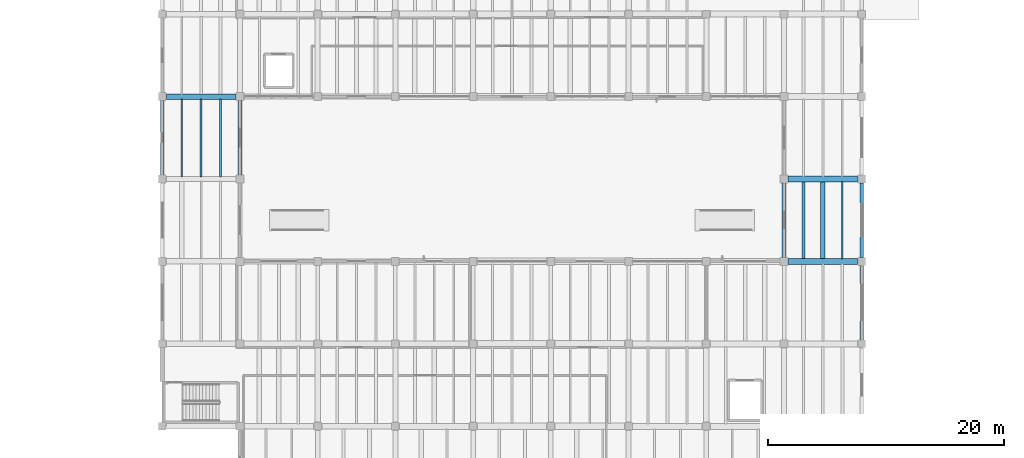
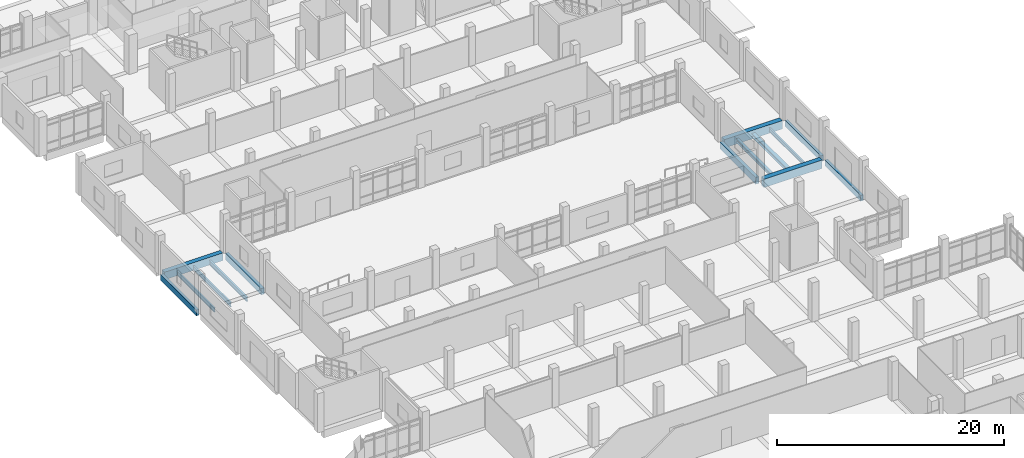
# One storey, part 20 of 69: 14 beams.
"""IFC4 building model written with IfcOpenShell, lengths in metres."""

from ifc_helpers import new_model, si_unit, direction, frame, origin, origin_2d, place, context, subcontext, project, spatial, rectangle, i_section, extrude, material, material_profile, profile_set, type_object, element, save


model = new_model("IFC4")

# Units and contexts
model_context = context("Model", 3, precision=1e-05, world=origin(), true_north=direction((0.0, 1.0)))
body_context = subcontext(model_context, "Body", "Model", "MODEL_VIEW")
ifc_project = project(units=[si_unit("LENGTHUNIT", "METRE"), si_unit("AREAUNIT", "SQUARE_METRE"), si_unit("VOLUMEUNIT", "CUBIC_METRE"), si_unit("PLANEANGLEUNIT", "RADIAN"), si_unit("MASSUNIT", "GRAM", prefix="KILO")], contexts=[model_context])

# Site, building, storey
site_placement = place(None, origin())
site = spatial("IfcSite", under=ifc_project, at=site_placement, CompositionType="ELEMENT")
building_placement = place(site_placement, origin())
building = spatial("IfcBuilding", under=site, at=building_placement, Name="Ciguamira Faculty of Natural Sciences", CompositionType="ELEMENT")
storey_placement = place(building_placement, origin())
storey = spatial("IfcBuildingStorey", under=building, at=storey_placement, Name="L00", CompositionType="ELEMENT", Elevation=0.0)

# Beams
ifc_material_1 = material(Name="Concrete C40/50", Category="concrete")
ifc_material_profile_1 = material_profile(ifc_material_1, rectangle(XDim=0.5, YDim=0.89990234375, at=origin_2d()), Name="RC-BM-500X900")
ifc_profile_set_1 = profile_set([ifc_material_profile_1], Name="Concrete C40/50")
beam_type_1 = type_object("IfcBeamType", Name="RCBeam_BG-03_RC-BM-500X900", PredefinedType="BEAM", material=ifc_profile_set_1)
for number, where, z_axis, x_axis, name in (
    (1, (110.449951171875, 59.0, -0.449951171875), (1.0, 0.0, 0.0), (0.0, 1.0, 0.0), "L00 RC girder EW-0126"),
    (2, (110.449951171875, 66.0, -0.449951171875), (1.0, 0.0, 0.0), (0.0, 1.0, 0.0), "L00 RC girder EW-0128"),
):
    element("IfcBeam", number, at=place(storey_placement, frame(where, z_axis=z_axis, x_axis=x_axis)), inside=storey, type_object=beam_type_1, Name=name, PredefinedType="BEAM", context=body_context, shape_type="SweptSolid", body=[
        extrude(rectangle(XDim=0.5, YDim=0.89990234375, at=origin_2d()), origin(), (0.0, 0.0, 1.0), 5.900146484375),
    ])
ifc_material_profile_2 = material_profile(ifc_material_1, rectangle(XDim=0.4599609375, YDim=0.820068359375, at=origin_2d()), Name="RC-BM-460X820")
ifc_profile_set_2 = profile_set([ifc_material_profile_2], Name="Concrete C40/50")
beam_type_2 = type_object("IfcBeamType", Name="RCBeam_BG-04_RC-BM-460X820", PredefinedType="BEAM", material=ifc_profile_set_2)
beam_1_placement = place(storey_placement, frame((57.64990234375, 73.0, -0.409912109375), z_axis=(1.0, 0.0, 0.0), x_axis=(0.0, 1.0, 0.0)))
element("IfcBeam", 3, at=beam_1_placement, inside=storey, type_object=beam_type_2, Name="L00 RC girder EW-0129", PredefinedType="BEAM", context=body_context, shape_type="SweptSolid", body=[
    extrude(rectangle(XDim=0.4599609375, YDim=0.820068359375, at=origin_2d()), origin(), (0.0, 0.0, 1.0), 5.900146484375),
])
ifc_material_2 = material(Name="Precast concrete C40/50", Category="concrete")
ifc_material_profile_3 = material_profile(ifc_material_2, rectangle(XDim=0.280029296875, YDim=0.6201171875, at=origin_2d()), Name="RC-SP-280X620")
ifc_profile_set_3 = profile_set([ifc_material_profile_3], Name="Precast concrete C40/50")
beam_type_3 = type_object("IfcBeamType", Name="RCBeam_SP-01_RC-SP-280X620", PredefinedType="SPANDREL", material=ifc_profile_set_3)
for number, where, z_axis, x_axis, name in (
    (4, (57.300048828125, 66.35009765625, -0.31005859375), (0.0, 1.0, 0.0), (-1.0, 0.0, 0.0), "L00 girder NS-0223"),
    (5, (116.699951171875, 52.35009765625, -0.31005859375), (0.0, 1.0, 0.0), (-1.0, 0.0, 0.0), "L00 girder NS-0330"),
    (6, (116.699951171875, 59.35009765625, -0.31005859375), (0.0, 1.0, 0.0), (-1.0, 0.0, 0.0), "L00 girder NS-0331"),
):
    element("IfcBeam", number, at=place(storey_placement, frame(where, z_axis=z_axis, x_axis=x_axis)), inside=storey, type_object=beam_type_3, Name=name, PredefinedType="SPANDREL", context=body_context, shape_type="SweptSolid", body=[
        extrude(rectangle(XDim=0.280029296875, YDim=0.6201171875, at=origin_2d()), origin(), (0.0, 0.0, 1.0), 6.2998046875),
    ])
ifc_material_profile_4 = material_profile(ifc_material_2, rectangle(XDim=0.320068359375, YDim=0.679931640625, at=origin_2d()), Name="RC-SP-320X680")
ifc_profile_set_4 = profile_set([ifc_material_profile_4], Name="Precast concrete C40/50")
beam_type_4 = type_object("IfcBeamType", Name="RCBeam_SP-02_RC-SP-320X680", PredefinedType="SPANDREL", material=ifc_profile_set_4)
beam_2_placement = place(storey_placement, frame((63.89990234375, 66.35009765625, -0.340087890625), z_axis=(0.0, 1.0, 0.0), x_axis=(-1.0, 0.0, 0.0)))
element("IfcBeam", 7, at=beam_2_placement, inside=storey, type_object=beam_type_4, Name="L00 girder NS-0235", PredefinedType="SPANDREL", context=body_context, shape_type="SweptSolid", body=[
    extrude(rectangle(XDim=0.320068359375, YDim=0.679931640625, at=origin_2d()), origin(), (0.0, 0.0, 1.0), 6.2998046875),
])
ifc_material_profile_5 = material_profile(ifc_material_2, rectangle(XDim=0.340087890625, YDim=0.719970703125, at=origin_2d()), Name="RC-SP-340X720")
ifc_profile_set_5 = profile_set([ifc_material_profile_5], Name="Precast concrete C40/50")
beam_type_5 = type_object("IfcBeamType", Name="RCBeam_SP-03_RC-SP-340X720", PredefinedType="SPANDREL", material=ifc_profile_set_5)
beam_3_placement = place(storey_placement, frame((110.10009765625, 59.35009765625, -0.360107421875), z_axis=(0.0, 1.0, 0.0), x_axis=(-1.0, 0.0, 0.0)))
element("IfcBeam", 8, at=beam_3_placement, inside=storey, type_object=beam_type_5, Name="L00 girder NS-0318", PredefinedType="SPANDREL", context=body_context, shape_type="SweptSolid", body=[
    extrude(rectangle(XDim=0.340087890625, YDim=0.719970703125, at=origin_2d()), origin(), (0.0, 0.0, 1.0), 6.2998046875),
])
ifc_material_3 = material(Name="Steel ASTM A992 Grade 50", Category="steel")
ifc_material_profile_6 = material_profile(ifc_material_3, i_section(OverallWidth=0.256591796875, OverallDepth=0.36328125, WebThickness=0.012939453125, FlangeThickness=0.021728515625, at=origin_2d()), Name="W14X82")
ifc_profile_set_6 = profile_set([ifc_material_profile_6], Name="Steel ASTM A992 Grade 50")
beam_type_6 = type_object("IfcBeamType", Name="SteelJoist_SJ-15_W14X82", PredefinedType="JOIST", material=ifc_profile_set_6)
beam_4_placement = place(storey_placement, frame((111.75, 59.2099609375, -0.481689453125), z_axis=(0.0, 1.0, 0.0), x_axis=(-1.0, 0.0, 0.0)))
element("IfcBeam", 9, at=beam_4_placement, inside=storey, type_object=beam_type_6, Name="L00 composite steel joist 00287", PredefinedType="JOIST", context=body_context, shape_type="SweptSolid", body=[
    extrude(i_section(OverallWidth=0.256591796875, OverallDepth=0.36328125, WebThickness=0.012939453125, FlangeThickness=0.021728515625, at=origin_2d()), origin(), (0.0, 0.0, 1.0), 6.580078125),
])
ifc_material_profile_7 = material_profile(ifc_material_3, i_section(OverallWidth=0.368408203125, OverallDepth=0.355712890625, WebThickness=0.01123046875, FlangeThickness=0.01806640625, at=origin_2d()), Name="W14X90")
ifc_profile_set_7 = profile_set([ifc_material_profile_7], Name="Steel ASTM A992 Grade 50")
beam_type_7 = type_object("IfcBeamType", Name="SteelJoist_SJ-16_W14X90", PredefinedType="JOIST", material=ifc_profile_set_7)
beam_5_placement = place(storey_placement, frame((113.39990234375, 59.2099609375, -0.477783203125), z_axis=(0.0, 1.0, 0.0), x_axis=(-1.0, 0.0, 0.0)))
element("IfcBeam", 10, at=beam_5_placement, inside=storey, type_object=beam_type_7, Name="L00 composite steel joist 00288", PredefinedType="JOIST", context=body_context, shape_type="SweptSolid", body=[
    extrude(i_section(OverallWidth=0.368408203125, OverallDepth=0.355712890625, WebThickness=0.01123046875, FlangeThickness=0.01806640625, at=origin_2d()), origin(), (0.0, 0.0, 1.0), 6.580078125),
])
ifc_material_profile_8 = material_profile(ifc_material_3, i_section(OverallWidth=0.140380859375, OverallDepth=0.40380859375, WebThickness=0.007080078125, FlangeThickness=0.01123046875, at=origin_2d()), Name="W16X31")
ifc_profile_set_8 = profile_set([ifc_material_profile_8], Name="Steel ASTM A992 Grade 50")
beam_type_8 = type_object("IfcBeamType", Name="SteelJoist_SJ-17_W16X31", PredefinedType="JOIST", material=ifc_profile_set_8)
beam_6_placement = place(storey_placement, frame((115.050048828125, 59.2099609375, -0.501953125), z_axis=(0.0, 1.0, 0.0), x_axis=(-1.0, 0.0, 0.0)))
element("IfcBeam", 11, at=beam_6_placement, inside=storey, type_object=beam_type_8, Name="L00 composite steel joist 00289", PredefinedType="JOIST", context=body_context, shape_type="SweptSolid", body=[
    extrude(i_section(OverallWidth=0.140380859375, OverallDepth=0.40380859375, WebThickness=0.007080078125, FlangeThickness=0.01123046875, at=origin_2d()), origin(), (0.0, 0.0, 1.0), 6.580078125),
])
ifc_material_profile_9 = material_profile(ifc_material_3, i_section(OverallWidth=0.15234375, OverallDepth=0.449462890625, WebThickness=0.007568359375, FlangeThickness=0.0107421875, at=origin_2d()), Name="W18X35")
ifc_profile_set_9 = profile_set([ifc_material_profile_9], Name="Steel ASTM A992 Grade 50")
beam_type_9 = type_object("IfcBeamType", Name="SteelJoist_SJ-21_W18X35", PredefinedType="JOIST", material=ifc_profile_set_9)
beam_7_placement = place(storey_placement, frame((58.949951171875, 66.18994140625, -0.52490234375), z_axis=(0.0, 1.0, 0.0), x_axis=(-1.0, 0.0, 0.0)))
element("IfcBeam", 12, at=beam_7_placement, inside=storey, type_object=beam_type_9, Name="L00 composite steel joist 00077", PredefinedType="JOIST", context=body_context, shape_type="SweptSolid", body=[
    extrude(i_section(OverallWidth=0.15234375, OverallDepth=0.449462890625, WebThickness=0.007568359375, FlangeThickness=0.0107421875, at=origin_2d()), origin(), (0.0, 0.0, 1.0), 6.6201171875),
])
ifc_material_profile_10 = material_profile(ifc_material_3, i_section(OverallWidth=0.15283203125, OverallDepth=0.45458984375, WebThickness=0.008056640625, FlangeThickness=0.013427734375, at=origin_2d()), Name="W18X40")
ifc_profile_set_10 = profile_set([ifc_material_profile_10], Name="Steel ASTM A992 Grade 50")
beam_type_10 = type_object("IfcBeamType", Name="SteelJoist_SJ-22_W18X40", PredefinedType="JOIST", material=ifc_profile_set_10)
beam_8_placement = place(storey_placement, frame((60.60009765625, 66.18994140625, -0.52734375), z_axis=(0.0, 1.0, 0.0), x_axis=(-1.0, 0.0, 0.0)))
element("IfcBeam", 13, at=beam_8_placement, inside=storey, type_object=beam_type_10, Name="L00 composite steel joist 00078", PredefinedType="JOIST", context=body_context, shape_type="SweptSolid", body=[
    extrude(i_section(OverallWidth=0.15283203125, OverallDepth=0.45458984375, WebThickness=0.008056640625, FlangeThickness=0.013427734375, at=origin_2d()), origin(), (0.0, 0.0, 1.0), 6.6201171875),
])
ifc_material_profile_11 = material_profile(ifc_material_3, i_section(OverallWidth=0.1904296875, OverallDepth=0.457275390625, WebThickness=0.009033203125, FlangeThickness=0.014404296875, at=origin_2d()), Name="W18X50")
ifc_profile_set_11 = profile_set([ifc_material_profile_11], Name="Steel ASTM A992 Grade 50")
beam_type_11 = type_object("IfcBeamType", Name="SteelJoist_SJ-23_W18X50", PredefinedType="JOIST", material=ifc_profile_set_11)
beam_9_placement = place(storey_placement, frame((62.25, 66.18994140625, -0.528564453125), z_axis=(0.0, 1.0, 0.0), x_axis=(-1.0, 0.0, 0.0)))
element("IfcBeam", 14, at=beam_9_placement, inside=storey, type_object=beam_type_11, Name="L00 composite steel joist 00079", PredefinedType="JOIST", context=body_context, shape_type="SweptSolid", body=[
    extrude(i_section(OverallWidth=0.1904296875, OverallDepth=0.457275390625, WebThickness=0.009033203125, FlangeThickness=0.014404296875, at=origin_2d()), origin(), (0.0, 0.0, 1.0), 6.6201171875),
])

save(model, "model.ifc")
